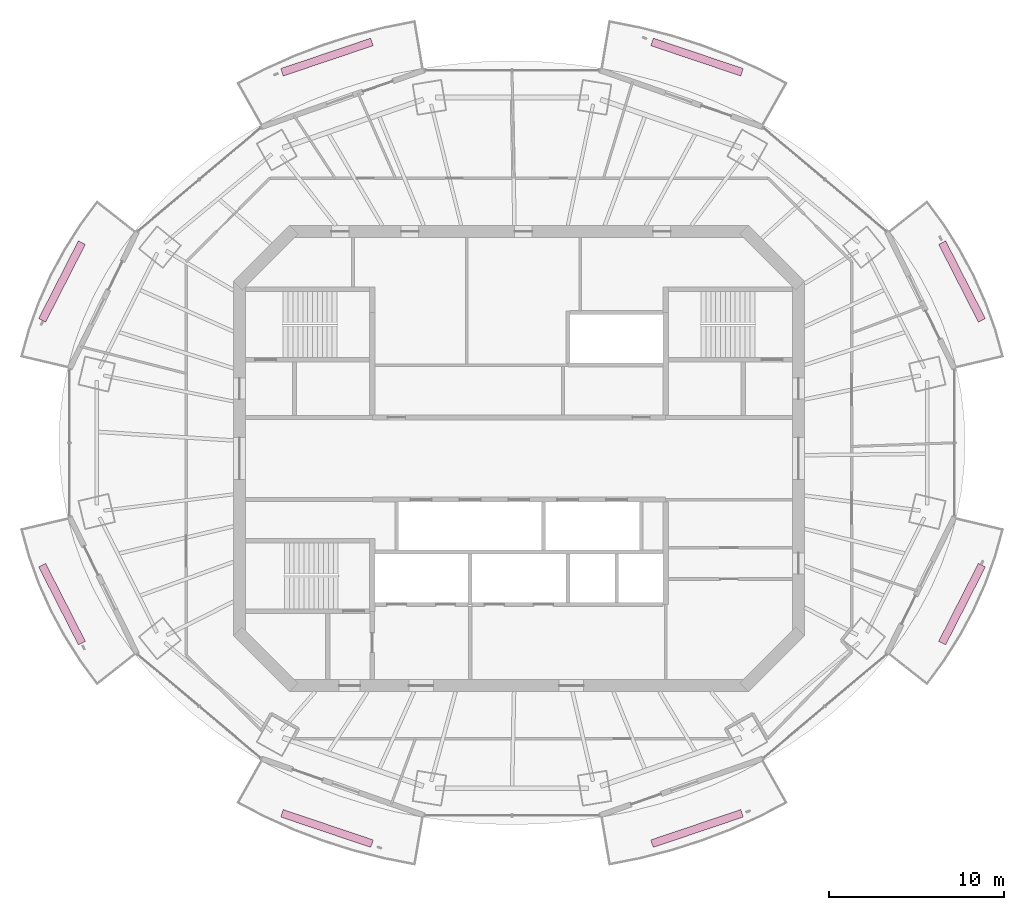
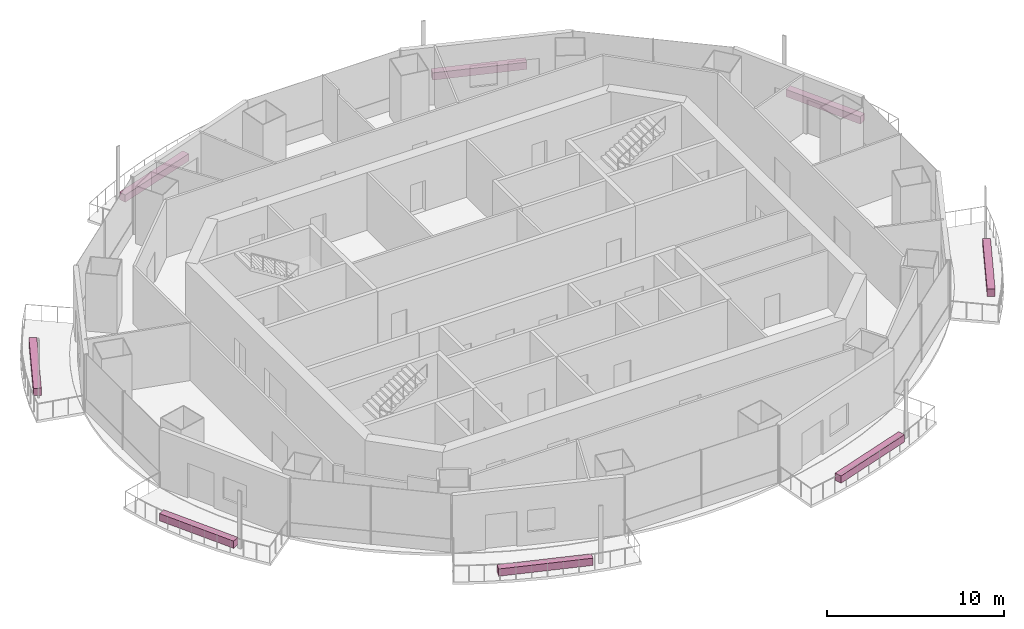
# One storey, part 16 of 16: 8 furnishings.
"""IFC4 building model written with IfcOpenShell, lengths in metres."""

from ifc_helpers import new_model, si_unit, direction, frame, origin, origin_2d, place, context, subcontext, project, spatial, rectangle, extrude, material, type_object, element, save


model = new_model("IFC4")

# Units and contexts
model_context = context("Model", 3, precision=1e-05, world=origin(), true_north=direction((0.0, 1.0)))
body_context = subcontext(model_context, "Body", "Model", "MODEL_VIEW")
ifc_project = project(units=[si_unit("LENGTHUNIT", "METRE"), si_unit("AREAUNIT", "SQUARE_METRE"), si_unit("VOLUMEUNIT", "CUBIC_METRE"), si_unit("PLANEANGLEUNIT", "RADIAN"), si_unit("MASSUNIT", "GRAM", prefix="KILO")], contexts=[model_context])

# Site, building, storey
site_placement = place(None, origin())
site = spatial("IfcSite", under=ifc_project, at=site_placement, CompositionType="ELEMENT")
building_placement = place(site_placement, origin())
building = spatial("IfcBuilding", under=site, at=building_placement, Name="Marenthal Gate Tower", CompositionType="ELEMENT")
storey_placement = place(building_placement, frame((0.0, 0.0, 371.64990234375)))
storey = spatial("IfcBuildingStorey", under=building, at=storey_placement, Name="L84", CompositionType="ELEMENT", Elevation=371.64990234375)

# Furnishings
ifc_material = material(Name="Planting soil and foliage", Category="planting")
furnishing_element_type = type_object("IfcFurnishingElementType", Name="Balcony PLANTER trough", material=ifc_material)
furnishing_1_placement = place(storey_placement, frame((25.36328125, 10.136474609375, -0.039794921875), z_axis=(0.0, 0.0, 1.0), x_axis=(-0.454653975837, 0.890668154958, 0.0)))
element("IfcFurnishingElement", 1, at=furnishing_1_placement, inside=storey, type_object=furnishing_element_type, Name="Balcony PLANTER L84 bay 1", ObjectType="PLANTER", context=body_context, shape_type="SweptSolid", body=[
    extrude(rectangle(XDim=5.000244140625, YDim=0.449951171875, at=origin_2d()), origin(), (0.0, 0.0, 1.0), 0.5),
])
for number, where, z_axis, x_axis, name in (
    (2, (10.193115234375, 22.9814453125, -0.039794921875), (0.0, 0.0, 1.0), (-0.947516023318, 0.319708281963, 0.0), "Balcony PLANTER L84 bay 3"),
    (3, (-10.9931640625, 22.9814453125, -0.039794921875), (0.0, 0.0, 1.0), (-0.947516023318, -0.319708281963, 0.0), "Balcony PLANTER L84 bay 5"),
):
    element("IfcFurnishingElement", number, at=place(storey_placement, frame(where, z_axis=z_axis, x_axis=x_axis)), inside=storey, type_object=furnishing_element_type, Name=name, ObjectType="PLANTER", context=body_context, shape_type="SweptSolid", body=[
        extrude(rectangle(XDim=5.435546875, YDim=0.449951171875, at=origin_2d()), origin(), (0.0, 0.0, 1.0), 0.5),
    ])
for number, where, z_axis, x_axis, name in (
    (4, (-26.163330078125, 10.136474609375, -0.039794921875), (0.0, 0.0, 1.0), (-0.454653975837, -0.890668154958, 0.0), "Balcony PLANTER L84 bay 7"),
    (5, (-26.163330078125, -8.33642578125, -0.039794921875), (0.0, 0.0, 1.0), (0.454653975837, -0.890668154958, 0.0), "Balcony PLANTER L84 bay 9"),
):
    element("IfcFurnishingElement", number, at=place(storey_placement, frame(where, z_axis=z_axis, x_axis=x_axis)), inside=storey, type_object=furnishing_element_type, Name=name, ObjectType="PLANTER", context=body_context, shape_type="SweptSolid", body=[
        extrude(rectangle(XDim=5.000244140625, YDim=0.449951171875, at=origin_2d()), origin(), (0.0, 0.0, 1.0), 0.5),
    ])
for number, where, z_axis, x_axis, name in (
    (6, (-10.9931640625, -21.181396484375, -0.039794921875), (0.0, 0.0, 1.0), (0.947516023318, -0.319708281963, 0.0), "Balcony PLANTER L84 bay 11"),
    (7, (10.193115234375, -21.181396484375, -0.039794921875), (0.0, 0.0, 1.0), (0.947516023318, 0.319708281963, 0.0), "Balcony PLANTER L84 bay 13"),
):
    element("IfcFurnishingElement", number, at=place(storey_placement, frame(where, z_axis=z_axis, x_axis=x_axis)), inside=storey, type_object=furnishing_element_type, Name=name, ObjectType="PLANTER", context=body_context, shape_type="SweptSolid", body=[
        extrude(rectangle(XDim=5.435546875, YDim=0.449951171875, at=origin_2d()), origin(), (0.0, 0.0, 1.0), 0.5),
    ])
furnishing_2_placement = place(storey_placement, frame((25.36328125, -8.33642578125, -0.039794921875), z_axis=(0.0, 0.0, 1.0), x_axis=(0.454653975837, 0.890668154958, 0.0)))
element("IfcFurnishingElement", 8, at=furnishing_2_placement, inside=storey, type_object=furnishing_element_type, Name="Balcony PLANTER L84 bay 15", ObjectType="PLANTER", context=body_context, shape_type="SweptSolid", body=[
    extrude(rectangle(XDim=5.000244140625, YDim=0.449951171875, at=origin_2d()), origin(), (0.0, 0.0, 1.0), 0.5),
])

save(model, "model.ifc")
